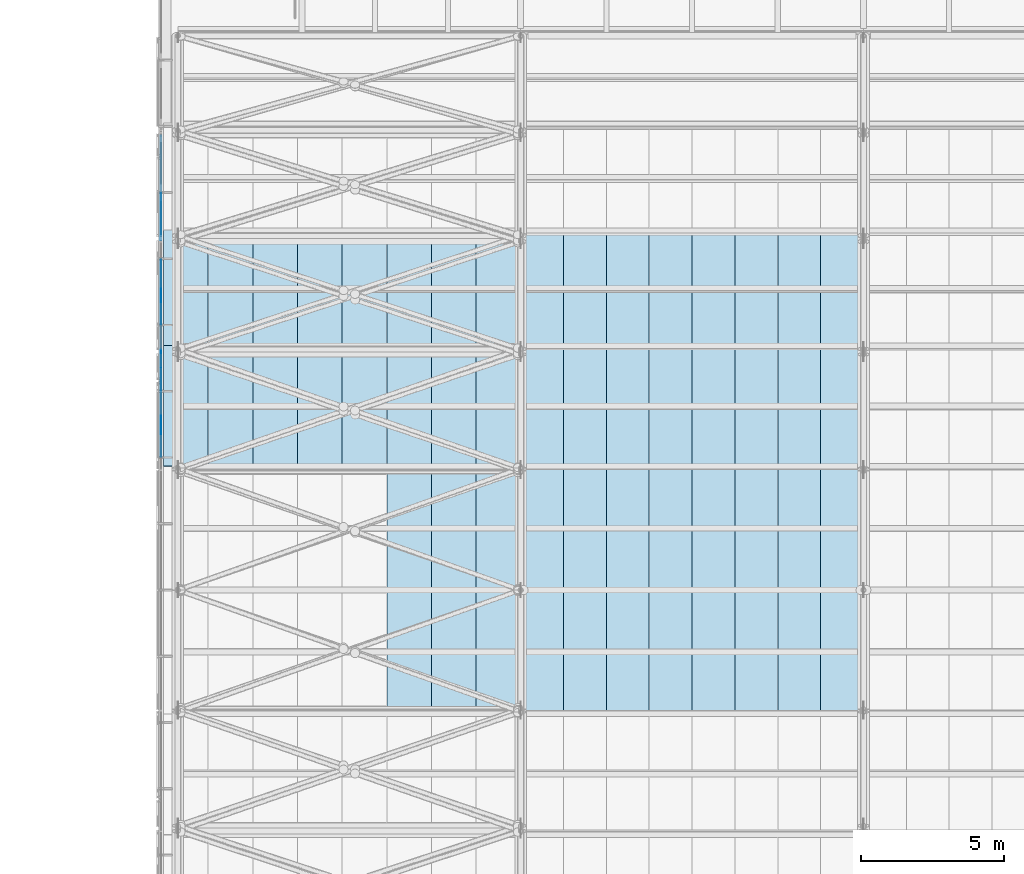
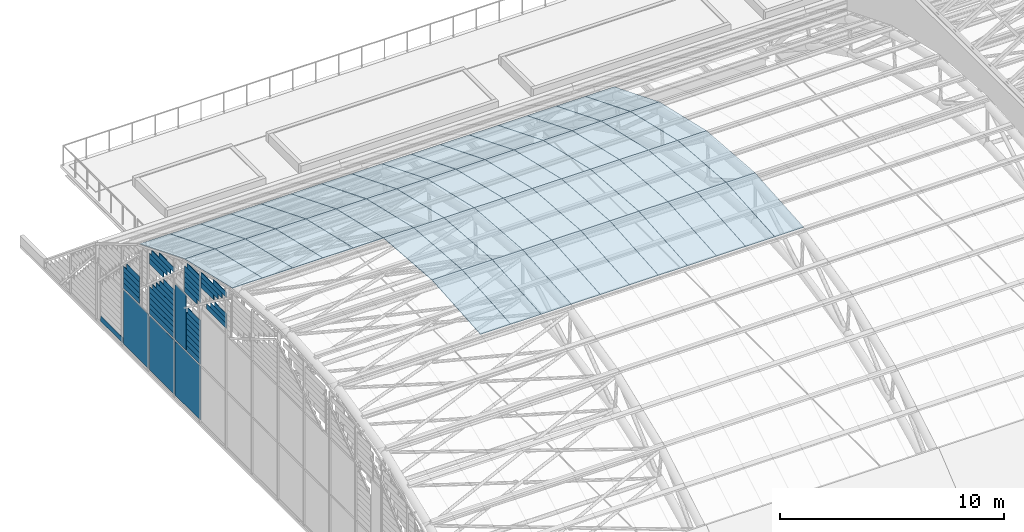
# One storey, part 55 of 110: 98 plates, 1 element without a shape of its own.
"""IFC4 building model written with IfcOpenShell, lengths in metres."""

from ifc_helpers import new_model, si_unit, direction, frame, origin, place, context, subcontext, project, spatial, polyline, outline, extrude, material, layer, layer_set, type_object, element, aggregate, save


model = new_model("IFC4")

# Units and contexts
model_context = context("Model", 3, precision=1e-05, world=origin(), true_north=direction((0.0, 1.0)))
body_context = subcontext(model_context, "Body", "Model", "MODEL_VIEW")
ifc_project = project(units=[si_unit("LENGTHUNIT", "METRE"), si_unit("AREAUNIT", "SQUARE_METRE"), si_unit("VOLUMEUNIT", "CUBIC_METRE"), si_unit("PLANEANGLEUNIT", "RADIAN"), si_unit("MASSUNIT", "GRAM", prefix="KILO")], contexts=[model_context])

# Site, building, storey
site_placement = place(None, origin())
site = spatial("IfcSite", under=ifc_project, at=site_placement, CompositionType="ELEMENT")
building_placement = place(site_placement, origin())
building = spatial("IfcBuilding", under=site, at=building_placement, Name="Windward Yard Aquatics Centre", CompositionType="ELEMENT")
storey_placement = place(building_placement, frame((0.0, 0.0, 22.60009765625)))
storey = spatial("IfcBuildingStorey", under=building, at=storey_placement, Name="L05", CompositionType="ELEMENT", Elevation=22.60009765625)

# Curtain wall, plates
ifc_material_1 = material(Name="Glass and aluminium curtain wall", Category="aluminium")
ifc_layer_1 = layer(ifc_material_1, 0.179931640625)
ifc_layer_set_1 = layer_set([ifc_layer_1], Name="H gable glazing system double glazed 8+16+8")
curtain_wall_type = type_object("IfcCurtainWallType", Name="H gable glazing system double glazed 8+16+8", PredefinedType="NOTDEFINED", material=ifc_layer_set_1)
curtain_wall_placement = place(storey_placement, origin())
curtain_wall = element("IfcCurtainWall", 1, at=curtain_wall_placement, inside=storey, type_object=curtain_wall_type, Name="Gable glazing W", PredefinedType="NOTDEFINED")
ifc_material_2 = material(Name="Low-iron glass", Category="glass")
ifc_layer_2 = layer(ifc_material_2, 0.008, Name="Outer pane")
ifc_material_3 = material(Name="Argon-filled cavity")
ifc_layer_3 = layer(ifc_material_3, 0.016, Name="Cavity")
ifc_layer_4 = layer(ifc_material_2, 0.008, Name="Inner pane")
ifc_layer_set_2 = layer_set([ifc_layer_2, ifc_layer_3, ifc_layer_4], Name="H gable glass low-e double glazed unit 32")
plate_type_1 = type_object("IfcPlateType", Name="H gable glass low-e double glazed unit 32", PredefinedType="CURTAIN_PANEL", material=ifc_layer_set_2)
plate_1_placement = place(storey_placement, frame((59.426025390625, 65.6708984375, 6.517333984375), z_axis=(1.0, 0.0, 0.0), x_axis=(0.0, 1.0, 0.0)))
plate_1 = element("IfcPlate", 2, at=plate_1_placement, type_object=plate_type_1, Name="Gable panel 12.3b", PredefinedType="CURTAIN_PANEL", context=body_context, shape_type="SweptSolid", body=[
    extrude(outline(polyline([(0.0, 0.0), (1.796875, 0.0), (1.796875, 0.266846), (0.0, 0.266846), (0.0, 0.0)])), origin(), (0.0, 0.0, -1.0), 0.031982421875),
])
plate_2_placement = place(storey_placement, frame((59.426025390625, 65.6708984375, 6.78466796875), z_axis=(1.0, 0.0, 0.0), x_axis=(0.0, 1.0, 0.0)))
plate_2 = element("IfcPlate", 3, at=plate_2_placement, type_object=plate_type_1, Name="Gable panel 12.3c", PredefinedType="CURTAIN_PANEL", context=body_context, shape_type="SweptSolid", body=[
    extrude(outline(polyline([(0.0, 0.0), (1.437744, 0.0), (1.437744, 0.266846), (0.0, 0.266846), (0.0, 0.0)])), origin(), (0.0, 0.0, -1.0), 0.031982421875),
])
plate_3_placement = place(storey_placement, frame((59.426025390625, 65.6708984375, 7.0517578125), z_axis=(1.0, 0.0, 0.0), x_axis=(0.0, 1.0, 0.0)))
plate_3 = element("IfcPlate", 4, at=plate_3_placement, type_object=plate_type_1, Name="Gable panel 12.3d", PredefinedType="CURTAIN_PANEL", context=body_context, shape_type="SweptSolid", body=[
    extrude(outline(polyline([(0.0, 0.0), (1.078369, 0.0), (1.078369, 0.266846), (0.0, 0.266846), (0.0, 0.0)])), origin(), (0.0, 0.0, -1.0), 0.031982421875),
])
plate_4_placement = place(storey_placement, frame((59.426025390625, 66.8017578125, 7.37939453125), z_axis=(1.0, 0.0, 0.0), x_axis=(0.0, 1.0, 0.0)))
plate_4 = element("IfcPlate", 5, at=plate_4_placement, type_object=plate_type_1, Name="Gable panel 12.3i", PredefinedType="CURTAIN_PANEL", context=body_context, shape_type="SweptSolid", body=[
    extrude(outline(polyline([(0.0, 0.0), (1.123535, 0.0), (1.123535, 0.277832), (0.0, 0.277832), (0.0, 0.0)])), origin(), (0.0, 0.0, -1.0), 0.031982421875),
])
plate_5_placement = place(storey_placement, frame((59.426025390625, 66.427490234375, 7.65771484375), z_axis=(1.0, 0.0, 0.0), x_axis=(0.0, 1.0, 0.0)))
plate_5 = element("IfcPlate", 6, at=plate_5_placement, type_object=plate_type_1, Name="Gable panel 12.3j", PredefinedType="CURTAIN_PANEL", context=body_context, shape_type="SweptSolid", body=[
    extrude(outline(polyline([(0.0, 0.0), (1.497803, 0.0), (1.497803, 0.278076), (0.0, 0.278076), (0.0, 0.0)])), origin(), (0.0, 0.0, -1.0), 0.031982421875),
])
plate_6_placement = place(storey_placement, frame((59.426025390625, 66.052978515625, 7.93603515625), z_axis=(1.0, 0.0, 0.0), x_axis=(0.0, 1.0, 0.0)))
plate_6 = element("IfcPlate", 7, at=plate_6_placement, type_object=plate_type_1, Name="Gable panel 12.3k", PredefinedType="CURTAIN_PANEL", context=body_context, shape_type="SweptSolid", body=[
    extrude(outline(polyline([(0.0, 0.0), (1.872314, 0.0), (1.872314, 0.278076), (0.0, 0.278076), (0.0, 0.0)])), origin(), (0.0, 0.0, -1.0), 0.031982421875),
])
plate_7_placement = place(storey_placement, frame((59.426025390625, 65.6787109375, 8.214599609375), z_axis=(1.0, 0.0, 0.0), x_axis=(0.0, 1.0, 0.0)))
plate_7 = element("IfcPlate", 8, at=plate_7_placement, type_object=plate_type_1, Name="Gable panel 12.3l", PredefinedType="CURTAIN_PANEL", context=body_context, shape_type="SweptSolid", body=[
    extrude(outline(polyline([(0.0, 0.0), (1.186035, 0.0), (1.186035, 0.278076), (0.0, 0.278076), (0.0, 0.0)])), origin(), (0.0, 0.0, -1.0), 0.031982421875),
])
plate_8_placement = place(storey_placement, frame((59.39404296875, 67.990234375, 0.099853515625), z_axis=(-1.0, 0.0, 0.0), x_axis=(0.0, 0.0, 1.0)))
plate_8 = element("IfcPlate", 9, at=plate_8_placement, type_object=plate_type_1, Name="Gable panel 13.1", PredefinedType="CURTAIN_PANEL", context=body_context, shape_type="SweptSolid", body=[
    extrude(outline(polyline([(0.0, 0.0), (2.949951, 0.0), (2.949951, 2.25415), (0.0, 2.25415), (0.0, 0.0)])), origin(), (0.0, 0.0, -1.0), 0.031982421875),
])
plate_9_placement = place(storey_placement, frame((59.39404296875, 69.273681640625, 3.14990234375), z_axis=(-1.0, 0.0, 0.0), x_axis=(0.0, 0.0, 1.0)))
plate_9 = element("IfcPlate", 10, at=plate_9_placement, type_object=plate_type_1, Name="Gable panel 13.2a", PredefinedType="CURTAIN_PANEL", context=body_context, shape_type="SweptSolid", body=[
    extrude(outline(polyline([(0.0, 0.0), (3.0, 0.0), (3.0, 0.970703), (0.0, 0.970703), (0.0, 0.0)])), origin(), (0.0, 0.0, -1.0), 0.031982421875),
])
plate_10_placement = place(storey_placement, frame((59.426025390625, 67.990234375, 3.14990234375), z_axis=(1.0, 0.0, 0.0), x_axis=(0.0, 1.0, 0.0)))
plate_10 = element("IfcPlate", 11, at=plate_10_placement, type_object=plate_type_1, Name="Gable panel 13.2b", PredefinedType="CURTAIN_PANEL", context=body_context, shape_type="SweptSolid", body=[
    extrude(outline(polyline([(0.0, 0.0), (1.235596, 0.0), (1.235596, 0.299805), (0.0, 0.299805), (0.0, 0.0)])), origin(), (0.0, 0.0, -1.0), 0.031982421875),
])
plate_11_placement = place(storey_placement, frame((59.426025390625, 67.990234375, 3.4501953125), z_axis=(1.0, 0.0, 0.0), x_axis=(0.0, 1.0, 0.0)))
plate_11 = element("IfcPlate", 12, at=plate_11_placement, type_object=plate_type_1, Name="Gable panel 13.2c", PredefinedType="CURTAIN_PANEL", context=body_context, shape_type="SweptSolid", body=[
    extrude(outline(polyline([(0.0, 0.0), (1.235596, 0.0), (1.235596, 0.299561), (0.0, 0.299561), (0.0, 0.0)])), origin(), (0.0, 0.0, -1.0), 0.031982421875),
])
plate_12_placement = place(storey_placement, frame((59.426025390625, 67.990234375, 3.75), z_axis=(1.0, 0.0, 0.0), x_axis=(0.0, 1.0, 0.0)))
plate_12 = element("IfcPlate", 13, at=plate_12_placement, type_object=plate_type_1, Name="Gable panel 13.2d", PredefinedType="CURTAIN_PANEL", context=body_context, shape_type="SweptSolid", body=[
    extrude(outline(polyline([(0.0, 0.0), (1.235596, 0.0), (1.235596, 0.299805), (0.0, 0.299805), (0.0, 0.0)])), origin(), (0.0, 0.0, -1.0), 0.031982421875),
])
plate_13_placement = place(storey_placement, frame((59.426025390625, 67.990234375, 4.050048828125), z_axis=(1.0, 0.0, 0.0), x_axis=(0.0, 1.0, 0.0)))
plate_13 = element("IfcPlate", 14, at=plate_13_placement, type_object=plate_type_1, Name="Gable panel 13.2e", PredefinedType="CURTAIN_PANEL", context=body_context, shape_type="SweptSolid", body=[
    extrude(outline(polyline([(0.0, 0.0), (1.235596, 0.0), (1.235596, 0.299561), (0.0, 0.299561), (0.0, 0.0)])), origin(), (0.0, 0.0, -1.0), 0.031982421875),
])
plate_14_placement = place(storey_placement, frame((59.426025390625, 67.990234375, 4.35009765625), z_axis=(1.0, 0.0, 0.0), x_axis=(0.0, 1.0, 0.0)))
plate_14 = element("IfcPlate", 15, at=plate_14_placement, type_object=plate_type_1, Name="Gable panel 13.2f", PredefinedType="CURTAIN_PANEL", context=body_context, shape_type="SweptSolid", body=[
    extrude(outline(polyline([(0.0, 0.0), (1.235596, 0.0), (1.235596, 0.299561), (0.0, 0.299561), (0.0, 0.0)])), origin(), (0.0, 0.0, -1.0), 0.031982421875),
])
plate_15_placement = place(storey_placement, frame((59.426025390625, 67.990234375, 4.650146484375), z_axis=(1.0, 0.0, 0.0), x_axis=(0.0, 1.0, 0.0)))
plate_15 = element("IfcPlate", 16, at=plate_15_placement, type_object=plate_type_1, Name="Gable panel 13.2g", PredefinedType="CURTAIN_PANEL", context=body_context, shape_type="SweptSolid", body=[
    extrude(outline(polyline([(0.0, 0.0), (1.235596, 0.0), (1.235596, 0.299561), (0.0, 0.299561), (0.0, 0.0)])), origin(), (0.0, 0.0, -1.0), 0.031982421875),
])
plate_16_placement = place(storey_placement, frame((59.426025390625, 67.990234375, 4.9501953125), z_axis=(1.0, 0.0, 0.0), x_axis=(0.0, 1.0, 0.0)))
plate_16 = element("IfcPlate", 17, at=plate_16_placement, type_object=plate_type_1, Name="Gable panel 13.2h", PredefinedType="CURTAIN_PANEL", context=body_context, shape_type="SweptSolid", body=[
    extrude(outline(polyline([(0.0, 0.0), (1.235596, 0.0), (1.235596, 0.299561), (0.0, 0.299561), (0.0, 0.0)])), origin(), (0.0, 0.0, -1.0), 0.031982421875),
])
plate_17_placement = place(storey_placement, frame((59.426025390625, 67.990234375, 5.25), z_axis=(1.0, 0.0, 0.0), x_axis=(0.0, 1.0, 0.0)))
plate_17 = element("IfcPlate", 18, at=plate_17_placement, type_object=plate_type_1, Name="Gable panel 13.2i", PredefinedType="CURTAIN_PANEL", context=body_context, shape_type="SweptSolid", body=[
    extrude(outline(polyline([(0.0, 0.0), (1.137451, 0.0), (1.137451, 0.299805), (0.0, 0.299805), (0.0, 0.0)])), origin(), (0.0, 0.0, -1.0), 0.031982421875),
])
plate_18_placement = place(storey_placement, frame((59.426025390625, 68.3203125, 6.25), z_axis=(1.0, 0.0, 0.0), x_axis=(0.0, 1.0, 0.0)))
plate_18 = element("IfcPlate", 19, at=plate_18_placement, type_object=plate_type_1, Name="Gable panel 13.3k", PredefinedType="CURTAIN_PANEL", context=body_context, shape_type="SweptSolid", body=[
    extrude(outline(polyline([(0.0, 0.0), (1.090576, 0.0), (1.090576, 0.282471), (0.0, 0.282471), (0.0, 0.0)])), origin(), (0.0, 0.0, -1.0), 0.031982421875),
])
plate_19_placement = place(storey_placement, frame((59.426025390625, 67.990234375, 6.532958984375), z_axis=(1.0, 0.0, 0.0), x_axis=(0.0, 1.0, 0.0)))
plate_19 = element("IfcPlate", 20, at=plate_19_placement, type_object=plate_type_1, Name="Gable panel 13.3l", PredefinedType="CURTAIN_PANEL", context=body_context, shape_type="SweptSolid", body=[
    extrude(outline(polyline([(0.0, 0.0), (1.420654, 0.0), (1.420654, 0.282471), (0.0, 0.282471), (0.0, 0.0)])), origin(), (0.0, 0.0, -1.0), 0.031982421875),
])
plate_20_placement = place(storey_placement, frame((59.426025390625, 67.990234375, 6.81591796875), z_axis=(1.0, 0.0, 0.0), x_axis=(0.0, 1.0, 0.0)))
plate_20 = element("IfcPlate", 21, at=plate_20_placement, type_object=plate_type_1, Name="Gable panel 13.3m", PredefinedType="CURTAIN_PANEL", context=body_context, shape_type="SweptSolid", body=[
    extrude(outline(polyline([(0.0, 0.0), (1.420654, 0.0), (1.420654, 0.282471), (0.0, 0.282471), (0.0, 0.0)])), origin(), (0.0, 0.0, -1.0), 0.031982421875),
])
plate_21_placement = place(storey_placement, frame((59.426025390625, 67.990234375, 7.0986328125), z_axis=(1.0, 0.0, 0.0), x_axis=(0.0, 1.0, 0.0)))
plate_21 = element("IfcPlate", 22, at=plate_21_placement, type_object=plate_type_1, Name="Gable panel 13.3n", PredefinedType="CURTAIN_PANEL", context=body_context, shape_type="SweptSolid", body=[
    extrude(outline(polyline([(0.0, 0.0), (1.420654, 0.0), (1.420654, 0.282471), (0.0, 0.282471), (0.0, 0.0)])), origin(), (0.0, 0.0, -1.0), 0.031982421875),
])
plate_22_placement = place(storey_placement, frame((59.426025390625, 67.990234375, 7.381591796875), z_axis=(1.0, 0.0, 0.0), x_axis=(0.0, 1.0, 0.0)))
plate_22 = element("IfcPlate", 23, at=plate_22_placement, type_object=plate_type_1, Name="Gable panel 13.3o", PredefinedType="CURTAIN_PANEL", context=body_context, shape_type="SweptSolid", body=[
    extrude(outline(polyline([(0.0, 0.0), (1.420654, 0.0), (1.420654, 0.282471), (0.0, 0.282471), (0.0, 0.0)])), origin(), (0.0, 0.0, -1.0), 0.031982421875),
])
plate_23_placement = place(storey_placement, frame((59.426025390625, 67.990234375, 7.66455078125), z_axis=(1.0, 0.0, 0.0), x_axis=(0.0, 1.0, 0.0)))
plate_23 = element("IfcPlate", 24, at=plate_23_placement, type_object=plate_type_1, Name="Gable panel 13.3p", PredefinedType="CURTAIN_PANEL", context=body_context, shape_type="SweptSolid", body=[
    extrude(outline(polyline([(0.0, 0.0), (1.212891, 0.0), (1.212891, 0.282471), (0.0, 0.282471), (0.0, 0.0)])), origin(), (0.0, 0.0, -1.0), 0.031982421875),
])
plate_24_placement = place(storey_placement, frame((59.39404296875, 70.309326171875, 0.099853515625), z_axis=(-1.0, 0.0, 0.0), x_axis=(0.0, 0.0, 1.0)))
plate_24 = element("IfcPlate", 25, at=plate_24_placement, type_object=plate_type_1, Name="Gable panel 14.1", PredefinedType="CURTAIN_PANEL", context=body_context, shape_type="SweptSolid", body=[
    extrude(outline(polyline([(0.0, 0.0), (2.949951, 0.0), (2.949951, 2.254395), (0.0, 2.254395), (0.0, 0.0)])), origin(), (0.0, 0.0, -1.0), 0.031982421875),
])
plate_25_placement = place(storey_placement, frame((59.426025390625, 70.309326171875, 3.14990234375), z_axis=(1.0, 0.0, 0.0), x_axis=(0.0, 1.0, 0.0)))
plate_25 = element("IfcPlate", 26, at=plate_25_placement, type_object=plate_type_1, Name="Gable panel 14.2a", PredefinedType="CURTAIN_PANEL", context=body_context, shape_type="SweptSolid", body=[
    extrude(outline(polyline([(0.0, 0.0), (2.254395, 0.0), (2.254395, 0.293213), (0.0, 0.293213), (0.0, 0.0)])), origin(), (0.0, 0.0, -1.0), 0.031982421875),
])
plate_26_placement = place(storey_placement, frame((59.426025390625, 70.309326171875, 3.443603515625), z_axis=(1.0, 0.0, 0.0), x_axis=(0.0, 1.0, 0.0)))
plate_26 = element("IfcPlate", 27, at=plate_26_placement, type_object=plate_type_1, Name="Gable panel 14.2b", PredefinedType="CURTAIN_PANEL", context=body_context, shape_type="SweptSolid", body=[
    extrude(outline(polyline([(0.0, 0.0), (2.254395, 0.0), (2.254395, 0.292969), (0.0, 0.292969), (0.0, 0.0)])), origin(), (0.0, 0.0, -1.0), 0.031982421875),
])
plate_27_placement = place(storey_placement, frame((59.426025390625, 70.309326171875, 3.737060546875), z_axis=(1.0, 0.0, 0.0), x_axis=(0.0, 1.0, 0.0)))
plate_27 = element("IfcPlate", 28, at=plate_27_placement, type_object=plate_type_1, Name="Gable panel 14.2c", PredefinedType="CURTAIN_PANEL", context=body_context, shape_type="SweptSolid", body=[
    extrude(outline(polyline([(0.0, 0.0), (2.254395, 0.0), (2.254395, 0.292969), (0.0, 0.292969), (0.0, 0.0)])), origin(), (0.0, 0.0, -1.0), 0.031982421875),
])
plate_28_placement = place(storey_placement, frame((59.426025390625, 70.309326171875, 4.0302734375), z_axis=(1.0, 0.0, 0.0), x_axis=(0.0, 1.0, 0.0)))
plate_28 = element("IfcPlate", 29, at=plate_28_placement, type_object=plate_type_1, Name="Gable panel 14.2d", PredefinedType="CURTAIN_PANEL", context=body_context, shape_type="SweptSolid", body=[
    extrude(outline(polyline([(0.0, 0.0), (2.254395, 0.0), (2.254395, 0.293213), (0.0, 0.293213), (0.0, 0.0)])), origin(), (0.0, 0.0, -1.0), 0.031982421875),
])
plate_29_placement = place(storey_placement, frame((59.426025390625, 70.309326171875, 4.32373046875), z_axis=(1.0, 0.0, 0.0), x_axis=(0.0, 1.0, 0.0)))
plate_29 = element("IfcPlate", 30, at=plate_29_placement, type_object=plate_type_1, Name="Gable panel 14.2e", PredefinedType="CURTAIN_PANEL", context=body_context, shape_type="SweptSolid", body=[
    extrude(outline(polyline([(0.0, 0.0), (2.254395, 0.0), (2.254395, 0.293213), (0.0, 0.293213), (0.0, 0.0)])), origin(), (0.0, 0.0, -1.0), 0.031982421875),
])
plate_30_placement = place(storey_placement, frame((59.426025390625, 70.309326171875, 4.6171875), z_axis=(1.0, 0.0, 0.0), x_axis=(0.0, 1.0, 0.0)))
plate_30 = element("IfcPlate", 31, at=plate_30_placement, type_object=plate_type_1, Name="Gable panel 14.2f", PredefinedType="CURTAIN_PANEL", context=body_context, shape_type="SweptSolid", body=[
    extrude(outline(polyline([(0.0, 0.0), (1.988037, 0.0), (1.988037, 0.292969), (0.0, 0.292969), (0.0, 0.0)])), origin(), (0.0, 0.0, -1.0), 0.031982421875),
])
plate_31_placement = place(storey_placement, frame((59.426025390625, 70.309326171875, 4.91064453125), z_axis=(1.0, 0.0, 0.0), x_axis=(0.0, 1.0, 0.0)))
plate_31 = element("IfcPlate", 32, at=plate_31_placement, type_object=plate_type_1, Name="Gable panel 14.2g", PredefinedType="CURTAIN_PANEL", context=body_context, shape_type="SweptSolid", body=[
    extrude(outline(polyline([(0.0, 0.0), (1.656738, 0.0), (1.656738, 0.292969), (0.0, 0.292969), (0.0, 0.0)])), origin(), (0.0, 0.0, -1.0), 0.031982421875),
])
plate_32_placement = place(storey_placement, frame((59.426025390625, 70.309326171875, 5.2041015625), z_axis=(1.0, 0.0, 0.0), x_axis=(0.0, 1.0, 0.0)))
plate_32 = element("IfcPlate", 33, at=plate_32_placement, type_object=plate_type_1, Name="Gable panel 14.2h", PredefinedType="CURTAIN_PANEL", context=body_context, shape_type="SweptSolid", body=[
    extrude(outline(polyline([(0.0, 0.0), (1.325439, 0.0), (1.325439, 0.292969), (0.0, 0.292969), (0.0, 0.0)])), origin(), (0.0, 0.0, -1.0), 0.031982421875),
])
plate_33_placement = place(storey_placement, frame((59.426025390625, 70.309326171875, 5.49755859375), z_axis=(1.0, 0.0, 0.0), x_axis=(0.0, 1.0, 0.0)))
plate_33 = element("IfcPlate", 34, at=plate_33_placement, type_object=plate_type_1, Name="Gable panel 14.2i", PredefinedType="CURTAIN_PANEL", context=body_context, shape_type="SweptSolid", body=[
    extrude(outline(polyline([(0.0, 0.0), (0.994141, 0.0), (0.994141, 0.292969), (0.0, 0.292969), (0.0, 0.0)])), origin(), (0.0, 0.0, -1.0), 0.031982421875),
])
plate_34_placement = place(storey_placement, frame((59.426025390625, 71.307861328125, 5.893310546875), z_axis=(1.0, 0.0, 0.0), x_axis=(0.0, 1.0, 0.0)))
plate_34 = element("IfcPlate", 35, at=plate_34_placement, type_object=plate_type_1, Name="Gable panel 14.2o", PredefinedType="CURTAIN_PANEL", context=body_context, shape_type="SweptSolid", body=[
    extrude(outline(polyline([(0.0, 0.0), (1.255859, 0.0), (1.255859, 0.277832), (0.0, 0.277832), (0.0, 0.0)])), origin(), (0.0, 0.0, -1.0), 0.031982421875),
])
plate_35_placement = place(storey_placement, frame((59.426025390625, 70.994140625, 6.17138671875), z_axis=(1.0, 0.0, 0.0), x_axis=(0.0, 1.0, 0.0)))
plate_35 = element("IfcPlate", 36, at=plate_35_placement, type_object=plate_type_1, Name="Gable panel 14.2p", PredefinedType="CURTAIN_PANEL", context=body_context, shape_type="SweptSolid", body=[
    extrude(outline(polyline([(0.0, 0.0), (1.56958, 0.0), (1.56958, 0.277588), (0.0, 0.277588), (0.0, 0.0)])), origin(), (0.0, 0.0, -1.0), 0.031982421875),
])
plate_36_placement = place(storey_placement, frame((59.426025390625, 70.68017578125, 6.449462890625), z_axis=(1.0, 0.0, 0.0), x_axis=(0.0, 1.0, 0.0)))
plate_36 = element("IfcPlate", 37, at=plate_36_placement, type_object=plate_type_1, Name="Gable panel 14.2q", PredefinedType="CURTAIN_PANEL", context=body_context, shape_type="SweptSolid", body=[
    extrude(outline(polyline([(0.0, 0.0), (1.705078, 0.0), (1.705078, 0.277588), (0.0, 0.277588), (0.0, 0.0)])), origin(), (0.0, 0.0, -1.0), 0.031982421875),
])
plate_37_placement = place(storey_placement, frame((59.426025390625, 70.366455078125, 6.7275390625), z_axis=(1.0, 0.0, 0.0), x_axis=(0.0, 1.0, 0.0)))
plate_37 = element("IfcPlate", 38, at=plate_37_placement, type_object=plate_type_1, Name="Gable panel 14.2r", PredefinedType="CURTAIN_PANEL", context=body_context, shape_type="SweptSolid", body=[
    extrude(outline(polyline([(0.0, 0.0), (1.327148, 0.0), (1.327148, 0.277588), (0.0, 0.277588), (0.0, 0.0)])), origin(), (0.0, 0.0, -1.0), 0.031982421875),
])
plate_38_placement = place(storey_placement, frame((59.39404296875, 72.628662109375, 0.099853515625), z_axis=(-1.0, 0.0, 0.0), x_axis=(0.0, 0.0, 1.0)))
plate_38 = element("IfcPlate", 39, at=plate_38_placement, type_object=plate_type_1, Name="Gable panel 15.1", PredefinedType="CURTAIN_PANEL", context=body_context, shape_type="SweptSolid", body=[
    extrude(outline(polyline([(0.0, 0.0), (2.949951, 0.0), (2.949951, 2.25415), (0.0, 2.25415), (0.0, 0.0)])), origin(), (0.0, 0.0, -1.0), 0.031982421875),
])
plate_39_placement = place(storey_placement, frame((59.426025390625, 73.438232421875, 3.14990234375), z_axis=(1.0, 0.0, 0.0), x_axis=(0.0, 1.0, 0.0)))
plate_39 = element("IfcPlate", 40, at=plate_39_placement, type_object=plate_type_1, Name="Gable panel 15.2a", PredefinedType="CURTAIN_PANEL", context=body_context, shape_type="SweptSolid", body=[
    extrude(outline(polyline([(0.0, 0.0), (1.44458, 0.0), (1.44458, 0.295898), (0.0, 0.295898), (0.0, 0.0)])), origin(), (0.0, 0.0, -1.0), 0.031982421875),
])
plate_40_placement = place(storey_placement, frame((59.426025390625, 73.438232421875, 3.446044921875), z_axis=(1.0, 0.0, 0.0), x_axis=(0.0, 1.0, 0.0)))
plate_40 = element("IfcPlate", 41, at=plate_40_placement, type_object=plate_type_1, Name="Gable panel 15.2b", PredefinedType="CURTAIN_PANEL", context=body_context, shape_type="SweptSolid", body=[
    extrude(outline(polyline([(0.0, 0.0), (1.44458, 0.0), (1.44458, 0.295898), (0.0, 0.295898), (0.0, 0.0)])), origin(), (0.0, 0.0, -1.0), 0.031982421875),
])
plate_41_placement = place(storey_placement, frame((59.426025390625, 73.438232421875, 3.7421875), z_axis=(1.0, 0.0, 0.0), x_axis=(0.0, 1.0, 0.0)))
plate_41 = element("IfcPlate", 42, at=plate_41_placement, type_object=plate_type_1, Name="Gable panel 15.2c", PredefinedType="CURTAIN_PANEL", context=body_context, shape_type="SweptSolid", body=[
    extrude(outline(polyline([(0.0, 0.0), (1.44458, 0.0), (1.44458, 0.295654), (0.0, 0.295654), (0.0, 0.0)])), origin(), (0.0, 0.0, -1.0), 0.031982421875),
])
plate_42_placement = place(storey_placement, frame((59.426025390625, 73.438232421875, 4.038330078125), z_axis=(1.0, 0.0, 0.0), x_axis=(0.0, 1.0, 0.0)))
plate_42 = element("IfcPlate", 43, at=plate_42_placement, type_object=plate_type_1, Name="Gable panel 15.2d", PredefinedType="CURTAIN_PANEL", context=body_context, shape_type="SweptSolid", body=[
    extrude(outline(polyline([(0.0, 0.0), (1.44458, 0.0), (1.44458, 0.295654), (0.0, 0.295654), (0.0, 0.0)])), origin(), (0.0, 0.0, -1.0), 0.031982421875),
])
plate_43_placement = place(storey_placement, frame((59.426025390625, 73.438232421875, 4.33447265625), z_axis=(1.0, 0.0, 0.0), x_axis=(0.0, 1.0, 0.0)))
plate_43 = element("IfcPlate", 44, at=plate_43_placement, type_object=plate_type_1, Name="Gable panel 15.2e", PredefinedType="CURTAIN_PANEL", context=body_context, shape_type="SweptSolid", body=[
    extrude(outline(polyline([(0.0, 0.0), (1.16626, 0.0), (1.16626, 0.295654), (0.0, 0.295654), (0.0, 0.0)])), origin(), (0.0, 0.0, -1.0), 0.031982421875),
])
plate_44_placement = place(storey_placement, frame((59.426025390625, 74.947998046875, 0.099853515625), z_axis=(1.0, 0.0, 0.0), x_axis=(0.0, 1.0, 0.0)))
plate_44 = element("IfcPlate", 45, at=plate_44_placement, type_object=plate_type_1, Name="Gable panel 16.1k", PredefinedType="CURTAIN_PANEL", context=body_context, shape_type="SweptSolid", body=[
    extrude(outline(polyline([(0.0, 0.0), (1.958984, 0.0), (1.958984, 0.294922), (0.0, 0.294922), (0.0, 0.0)])), origin(), (0.0, 0.0, -1.0), 0.031982421875),
])
aggregate(curtain_wall, [plate_1, plate_2, plate_3, plate_4, plate_5, plate_6, plate_7, plate_8, plate_9, plate_10, plate_11, plate_12, plate_13, plate_14, plate_15, plate_16, plate_17, plate_18, plate_19, plate_20, plate_21, plate_22, plate_23, plate_24, plate_25, plate_26, plate_27, plate_28, plate_29, plate_30, plate_31, plate_32, plate_33, plate_34, plate_35, plate_36, plate_37, plate_38, plate_39, plate_40, plate_41, plate_42, plate_43, plate_44])

# Plates
ifc_material_4 = material(Name="Translucent multiwall polycarbonate sheet")
ifc_layer_5 = layer(ifc_material_4, 0.031982421875)
ifc_layer_set_3 = layer_set([ifc_layer_5], Name="H translucent roof sheet multiwall polycarbonate 32")
plate_type_2 = type_object("IfcPlateType", Name="H translucent roof sheet multiwall polycarbonate 32", PredefinedType="SHEET", material=ifc_layer_set_3)
for number, where, z_axis, x_axis, name in (
    (46, (67.314453125, 26.0, 0.0), (1.0, 0.0, 0.0), (0.0, 1.0, 0.0), "Daylight roof sheet bay 1 facet 5 sheet 6"),
    (47, (68.876953125, 26.0, 0.0), (1.0, 0.0, 0.0), (0.0, 1.0, 0.0), "Daylight roof sheet bay 1 facet 5 sheet 7"),
    (48, (70.439453125, 26.0, 0.0), (1.0, 0.0, 0.0), (0.0, 1.0, 0.0), "Daylight roof sheet bay 1 facet 5 sheet 8"),
):
    element("IfcPlate", number, at=place(storey_placement, frame(where, z_axis=z_axis, x_axis=x_axis)), inside=storey, type_object=plate_type_2, Name=name, PredefinedType="SHEET", context=body_context, shape_type="SweptSolid", body=[
        extrude(outline(polyline([(30.669677734375, 8.871337890625), (35.0, 9.202880859375), (35.0, 9.235107421875), (30.664794921875, 8.903076171875), (30.669677734375, 8.871337890625)])), origin(), (0.0, 0.0, 1.0), 1.55859375),
    ])
for number, where, z_axis, x_axis, name in (
    (49, (67.314453125, 26.0, 0.0), (1.0, 0.0, 0.0), (0.0, 1.0, 0.0), "Daylight roof sheet bay 1 facet 6 sheet 6"),
    (50, (68.876953125, 26.0, 0.0), (1.0, 0.0, 0.0), (0.0, 1.0, 0.0), "Daylight roof sheet bay 1 facet 6 sheet 7"),
    (51, (70.439453125, 26.0, 0.0), (1.0, 0.0, 0.0), (0.0, 1.0, 0.0), "Daylight roof sheet bay 1 facet 6 sheet 8"),
):
    element("IfcPlate", number, at=place(storey_placement, frame(where, z_axis=z_axis, x_axis=x_axis)), inside=storey, type_object=plate_type_2, Name=name, PredefinedType="SHEET", context=body_context, shape_type="SweptSolid", body=[
        extrude(outline(polyline([(35.0, 9.202880859375), (39.330322265625, 8.871337890625), (39.335205078125, 8.903076171875), (35.0, 9.235107421875), (35.0, 9.202880859375)])), origin(), (0.0, 0.0, 1.0), 1.55859375),
    ])
for number, where, z_axis, x_axis, name in (
    (52, (59.501953125, 26.0, 0.0), (1.0, 0.0, 0.0), (0.0, 1.0, 0.0), "Daylight roof sheet bay 1 facet 7 sheet 1"),
    (53, (61.064453125, 26.0, 0.0), (1.0, 0.0, 0.0), (0.0, 1.0, 0.0), "Daylight roof sheet bay 1 facet 7 sheet 2"),
    (54, (62.626953125, 26.0, 0.0), (1.0, 0.0, 0.0), (0.0, 1.0, 0.0), "Daylight roof sheet bay 1 facet 7 sheet 3"),
    (55, (64.189453125, 26.0, 0.0), (1.0, 0.0, 0.0), (0.0, 1.0, 0.0), "Daylight roof sheet bay 1 facet 7 sheet 4"),
    (56, (65.751953125, 26.0, 0.0), (1.0, 0.0, 0.0), (0.0, 1.0, 0.0), "Daylight roof sheet bay 1 facet 7 sheet 5"),
    (57, (67.314453125, 26.0, 0.0), (1.0, 0.0, 0.0), (0.0, 1.0, 0.0), "Daylight roof sheet bay 1 facet 7 sheet 6"),
    (58, (68.876953125, 26.0, 0.0), (1.0, 0.0, 0.0), (0.0, 1.0, 0.0), "Daylight roof sheet bay 1 facet 7 sheet 7"),
    (59, (70.439453125, 26.0, 0.0), (1.0, 0.0, 0.0), (0.0, 1.0, 0.0), "Daylight roof sheet bay 1 facet 7 sheet 8"),
):
    element("IfcPlate", number, at=place(storey_placement, frame(where, z_axis=z_axis, x_axis=x_axis)), inside=storey, type_object=plate_type_2, Name=name, PredefinedType="SHEET", context=body_context, shape_type="SweptSolid", body=[
        extrude(outline(polyline([(39.330322265625, 8.871337890625), (43.559814453125, 7.88427734375), (43.5693359375, 7.914794921875), (39.335205078125, 8.903076171875), (39.330322265625, 8.871337890625)])), origin(), (0.0, 0.0, 1.0), 1.55859375),
    ])
for number, where, z_axis, x_axis, name in (
    (60, (59.501953125, 26.0, 0.0), (1.0, 0.0, 0.0), (0.0, 1.0, 0.0), "Daylight roof sheet bay 1 facet 8 sheet 1"),
    (61, (61.064453125, 26.0, 0.0), (1.0, 0.0, 0.0), (0.0, 1.0, 0.0), "Daylight roof sheet bay 1 facet 8 sheet 2"),
    (62, (62.626953125, 26.0, 0.0), (1.0, 0.0, 0.0), (0.0, 1.0, 0.0), "Daylight roof sheet bay 1 facet 8 sheet 3"),
    (63, (64.189453125, 26.0, 0.0), (1.0, 0.0, 0.0), (0.0, 1.0, 0.0), "Daylight roof sheet bay 1 facet 8 sheet 4"),
    (64, (65.751953125, 26.0, 0.0), (1.0, 0.0, 0.0), (0.0, 1.0, 0.0), "Daylight roof sheet bay 1 facet 8 sheet 5"),
    (65, (67.314453125, 26.0, 0.0), (1.0, 0.0, 0.0), (0.0, 1.0, 0.0), "Daylight roof sheet bay 1 facet 8 sheet 6"),
    (66, (68.876953125, 26.0, 0.0), (1.0, 0.0, 0.0), (0.0, 1.0, 0.0), "Daylight roof sheet bay 1 facet 8 sheet 7"),
    (67, (70.439453125, 26.0, 0.0), (1.0, 0.0, 0.0), (0.0, 1.0, 0.0), "Daylight roof sheet bay 1 facet 8 sheet 8"),
):
    element("IfcPlate", number, at=place(storey_placement, frame(where, z_axis=z_axis, x_axis=x_axis)), inside=storey, type_object=plate_type_2, Name=name, PredefinedType="SHEET", context=body_context, shape_type="SweptSolid", body=[
        extrude(outline(polyline([(43.559814453125, 7.88427734375), (47.58935546875, 6.2646484375), (47.603759765625, 6.29345703125), (43.5693359375, 7.914794921875), (43.559814453125, 7.88427734375)])), origin(), (0.0, 0.0, 1.0), 1.55859375),
    ])
for number, where, z_axis, x_axis, name in (
    (68, (72.001953125, 26.0, 0.0), (1.0, 0.0, 0.0), (0.0, 1.0, 0.0), "Daylight roof sheet bay 2 facet 5 sheet 1"),
    (69, (73.501953125, 26.0, 0.0), (1.0, 0.0, 0.0), (0.0, 1.0, 0.0), "Daylight roof sheet bay 2 facet 5 sheet 2"),
    (70, (75.001953125, 26.0, 0.0), (1.0, 0.0, 0.0), (0.0, 1.0, 0.0), "Daylight roof sheet bay 2 facet 5 sheet 3"),
    (71, (76.501953125, 26.0, 0.0), (1.0, 0.0, 0.0), (0.0, 1.0, 0.0), "Daylight roof sheet bay 2 facet 5 sheet 4"),
    (72, (78.001953125, 26.0, 0.0), (1.0, 0.0, 0.0), (0.0, 1.0, 0.0), "Daylight roof sheet bay 2 facet 5 sheet 5"),
    (73, (79.501953125, 26.0, 0.0), (1.0, 0.0, 0.0), (0.0, 1.0, 0.0), "Daylight roof sheet bay 2 facet 5 sheet 6"),
    (74, (81.001953125, 26.0, 0.0), (1.0, 0.0, 0.0), (0.0, 1.0, 0.0), "Daylight roof sheet bay 2 facet 5 sheet 7"),
    (75, (82.501953125, 26.0, 0.0), (1.0, 0.0, 0.0), (0.0, 1.0, 0.0), "Daylight roof sheet bay 2 facet 5 sheet 8"),
):
    element("IfcPlate", number, at=place(storey_placement, frame(where, z_axis=z_axis, x_axis=x_axis)), inside=storey, type_object=plate_type_2, Name=name, PredefinedType="SHEET", context=body_context, shape_type="SweptSolid", body=[
        extrude(outline(polyline([(30.669677734375, 8.871337890625), (35.0, 9.202880859375), (35.0, 9.235107421875), (30.664794921875, 8.903076171875), (30.669677734375, 8.871337890625)])), origin(), (0.0, 0.0, 1.0), 1.49609375),
    ])
for number, where, z_axis, x_axis, name in (
    (76, (72.001953125, 26.0, 0.0), (1.0, 0.0, 0.0), (0.0, 1.0, 0.0), "Daylight roof sheet bay 2 facet 6 sheet 1"),
    (77, (73.501953125, 26.0, 0.0), (1.0, 0.0, 0.0), (0.0, 1.0, 0.0), "Daylight roof sheet bay 2 facet 6 sheet 2"),
    (78, (75.001953125, 26.0, 0.0), (1.0, 0.0, 0.0), (0.0, 1.0, 0.0), "Daylight roof sheet bay 2 facet 6 sheet 3"),
    (79, (76.501953125, 26.0, 0.0), (1.0, 0.0, 0.0), (0.0, 1.0, 0.0), "Daylight roof sheet bay 2 facet 6 sheet 4"),
    (80, (78.001953125, 26.0, 0.0), (1.0, 0.0, 0.0), (0.0, 1.0, 0.0), "Daylight roof sheet bay 2 facet 6 sheet 5"),
    (81, (79.501953125, 26.0, 0.0), (1.0, 0.0, 0.0), (0.0, 1.0, 0.0), "Daylight roof sheet bay 2 facet 6 sheet 6"),
    (82, (81.001953125, 26.0, 0.0), (1.0, 0.0, 0.0), (0.0, 1.0, 0.0), "Daylight roof sheet bay 2 facet 6 sheet 7"),
    (83, (82.501953125, 26.0, 0.0), (1.0, 0.0, 0.0), (0.0, 1.0, 0.0), "Daylight roof sheet bay 2 facet 6 sheet 8"),
):
    element("IfcPlate", number, at=place(storey_placement, frame(where, z_axis=z_axis, x_axis=x_axis)), inside=storey, type_object=plate_type_2, Name=name, PredefinedType="SHEET", context=body_context, shape_type="SweptSolid", body=[
        extrude(outline(polyline([(35.0, 9.202880859375), (39.330322265625, 8.871337890625), (39.335205078125, 8.903076171875), (35.0, 9.235107421875), (35.0, 9.202880859375)])), origin(), (0.0, 0.0, 1.0), 1.49609375),
    ])
for number, where, z_axis, x_axis, name in (
    (84, (72.001953125, 26.0, 0.0), (1.0, 0.0, 0.0), (0.0, 1.0, 0.0), "Daylight roof sheet bay 2 facet 7 sheet 1"),
    (85, (73.501953125, 26.0, 0.0), (1.0, 0.0, 0.0), (0.0, 1.0, 0.0), "Daylight roof sheet bay 2 facet 7 sheet 2"),
    (86, (75.001953125, 26.0, 0.0), (1.0, 0.0, 0.0), (0.0, 1.0, 0.0), "Daylight roof sheet bay 2 facet 7 sheet 3"),
    (87, (76.501953125, 26.0, 0.0), (1.0, 0.0, 0.0), (0.0, 1.0, 0.0), "Daylight roof sheet bay 2 facet 7 sheet 4"),
    (88, (78.001953125, 26.0, 0.0), (1.0, 0.0, 0.0), (0.0, 1.0, 0.0), "Daylight roof sheet bay 2 facet 7 sheet 5"),
    (89, (79.501953125, 26.0, 0.0), (1.0, 0.0, 0.0), (0.0, 1.0, 0.0), "Daylight roof sheet bay 2 facet 7 sheet 6"),
    (90, (81.001953125, 26.0, 0.0), (1.0, 0.0, 0.0), (0.0, 1.0, 0.0), "Daylight roof sheet bay 2 facet 7 sheet 7"),
    (91, (82.501953125, 26.0, 0.0), (1.0, 0.0, 0.0), (0.0, 1.0, 0.0), "Daylight roof sheet bay 2 facet 7 sheet 8"),
):
    element("IfcPlate", number, at=place(storey_placement, frame(where, z_axis=z_axis, x_axis=x_axis)), inside=storey, type_object=plate_type_2, Name=name, PredefinedType="SHEET", context=body_context, shape_type="SweptSolid", body=[
        extrude(outline(polyline([(39.330322265625, 8.871337890625), (43.559814453125, 7.88427734375), (43.5693359375, 7.914794921875), (39.335205078125, 8.903076171875), (39.330322265625, 8.871337890625)])), origin(), (0.0, 0.0, 1.0), 1.49609375),
    ])
for number, where, z_axis, x_axis, name in (
    (92, (72.001953125, 26.0, 0.0), (1.0, 0.0, 0.0), (0.0, 1.0, 0.0), "Daylight roof sheet bay 2 facet 8 sheet 1"),
    (93, (73.501953125, 26.0, 0.0), (1.0, 0.0, 0.0), (0.0, 1.0, 0.0), "Daylight roof sheet bay 2 facet 8 sheet 2"),
    (94, (75.001953125, 26.0, 0.0), (1.0, 0.0, 0.0), (0.0, 1.0, 0.0), "Daylight roof sheet bay 2 facet 8 sheet 3"),
    (95, (76.501953125, 26.0, 0.0), (1.0, 0.0, 0.0), (0.0, 1.0, 0.0), "Daylight roof sheet bay 2 facet 8 sheet 4"),
    (96, (78.001953125, 26.0, 0.0), (1.0, 0.0, 0.0), (0.0, 1.0, 0.0), "Daylight roof sheet bay 2 facet 8 sheet 5"),
    (97, (79.501953125, 26.0, 0.0), (1.0, 0.0, 0.0), (0.0, 1.0, 0.0), "Daylight roof sheet bay 2 facet 8 sheet 6"),
    (98, (81.001953125, 26.0, 0.0), (1.0, 0.0, 0.0), (0.0, 1.0, 0.0), "Daylight roof sheet bay 2 facet 8 sheet 7"),
    (99, (82.501953125, 26.0, 0.0), (1.0, 0.0, 0.0), (0.0, 1.0, 0.0), "Daylight roof sheet bay 2 facet 8 sheet 8"),
):
    element("IfcPlate", number, at=place(storey_placement, frame(where, z_axis=z_axis, x_axis=x_axis)), inside=storey, type_object=plate_type_2, Name=name, PredefinedType="SHEET", context=body_context, shape_type="SweptSolid", body=[
        extrude(outline(polyline([(43.559814453125, 7.88427734375), (47.58935546875, 6.2646484375), (47.603759765625, 6.29345703125), (43.5693359375, 7.914794921875), (43.559814453125, 7.88427734375)])), origin(), (0.0, 0.0, 1.0), 1.49609375),
    ])

save(model, "model.ifc")
